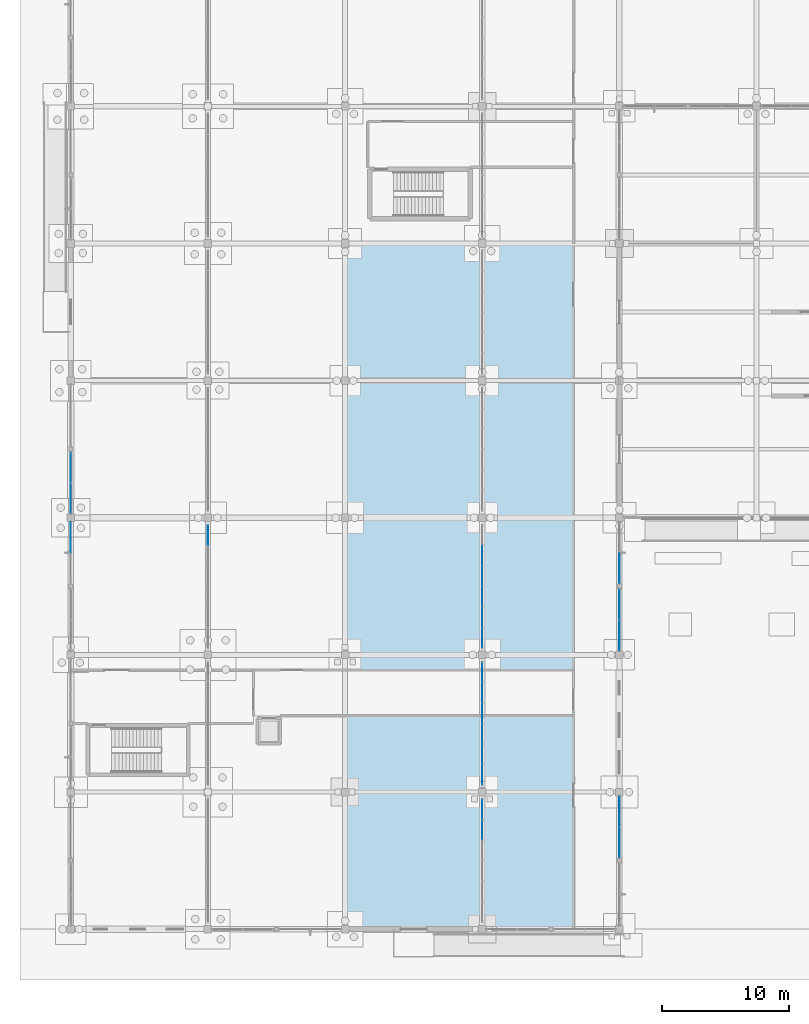
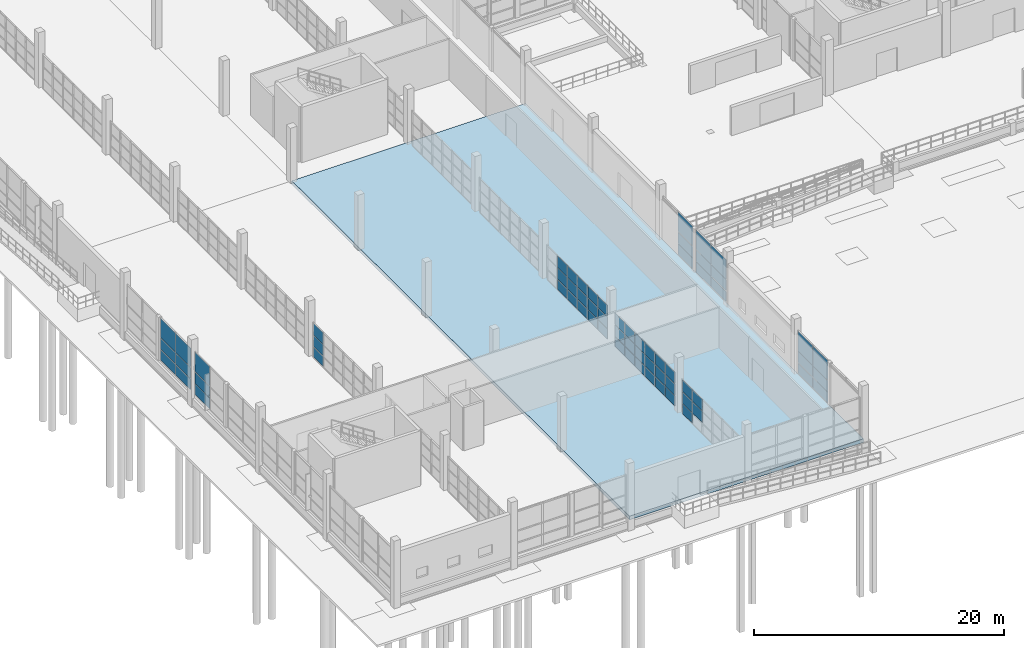
# One storey, part 81 of 138: 65 plates, 1 slab, 9 elements without a shape of their own.
"""IFC4 building model written with IfcOpenShell, lengths in metres."""

from ifc_helpers import new_model, si_unit, direction, frame, origin, origin_2d, place, context, subcontext, project, spatial, polyline, rectangle, outline, extrude, material, layer, layer_set, type_object, element, aggregate, save


model = new_model("IFC4")

# Units and contexts
model_context = context("Model", 3, precision=1e-05, world=origin(), true_north=direction((0.0, 1.0)))
body_context = subcontext(model_context, "Body", "Model", "MODEL_VIEW")
ifc_project = project(units=[si_unit("LENGTHUNIT", "METRE"), si_unit("AREAUNIT", "SQUARE_METRE"), si_unit("VOLUMEUNIT", "CUBIC_METRE"), si_unit("PLANEANGLEUNIT", "RADIAN"), si_unit("MASSUNIT", "GRAM", prefix="KILO")], contexts=[model_context])

# Site, building, storey
site_placement = place(None, origin())
site = spatial("IfcSite", under=ifc_project, at=site_placement, CompositionType="ELEMENT")
building_placement = place(site_placement, origin())
building = spatial("IfcBuilding", under=site, at=building_placement, Name="Zwinboog Wholesale Market", CompositionType="ELEMENT")
storey_placement = place(building_placement, origin())
storey = spatial("IfcBuildingStorey", under=building, at=storey_placement, Name="L00", CompositionType="ELEMENT", Elevation=0.0)

# Slab
ifc_material_1 = material(Name="Precast concrete C45/55", Category="concrete")
ifc_layer_1 = layer(ifc_material_1, 0.35009765625)
ifc_layer_set_1 = layer_set([ifc_layer_1], Name="Precast concrete C45/55")
slab_type = type_object("IfcSlabType", Name="SLT-BS-350", PredefinedType="BASESLAB", material=ifc_layer_set_1)
slab_placement = place(storey_placement, frame((0.0, 0.0, -0.35009765625)))
element("IfcSlab", 1, at=slab_placement, inside=storey, type_object=slab_type, Name="SB-350 (SLB-L00-002)", PredefinedType="BASESLAB", context=body_context, shape_type="SweptSolid", body=[
    extrude(outline(polyline([(21.60009765625, 0.0), (43.199951171875, 0.0), (43.199951171875, 54.0), (21.60009765625, 54.0), (21.60009765625, 0.0)])), origin(), (0.0, 0.0, 1.0), 0.35009765625),
])

# Curtain wall, plates
ifc_material_2 = material(Name="Aluminium thermally broken curtain wall", Category="aluminium")
curtain_wall_type_1 = type_object("IfcCurtainWallType", Name="CWT-OFF-15", PredefinedType="USERDEFINED", material=ifc_material_2)
curtain_wall_1_placement = place(storey_placement, origin())
curtain_wall_1 = element("IfcCurtainWall", 2, at=curtain_wall_1_placement, inside=storey, type_object=curtain_wall_type_1, Name="CW-06 (CW-L00-006)", ObjectType="UNITIZED_CURTAIN_WALL", PredefinedType="USERDEFINED")
ifc_material_3 = material(Name="Double low-e insulated glazing", Category="glass")
ifc_layer_2 = layer(ifc_material_3, 0.031982421875)
ifc_layer_set_2 = layer_set([ifc_layer_2], Name="Double low-e insulated glazing")
plate_type_1 = type_object("IfcPlateType", Name="CWP-IGU-32", PredefinedType="CURTAIN_PANEL", material=ifc_layer_set_2)
plate_1_placement = place(storey_placement, frame((0.0, 30.86376953125, 0.06005859375), z_axis=(0.0, 0.0, 1.0), x_axis=(0.0, 1.0, 0.0)))
plate_1 = element("IfcPlate", 3, at=plate_1_placement, type_object=plate_type_1, Name="CW-06 panel 2.1", PredefinedType="CURTAIN_PANEL", context=body_context, shape_type="SweptSolid", body=[
    extrude(rectangle(XDim=2.362548828125, YDim=0.031982421875, at=origin_2d()), origin(), (0.0, 0.0, 1.0), 1.010009765625),
])
plate_2_placement = place(storey_placement, frame((0.0, 30.86376953125, 1.1298828125), z_axis=(0.0, 0.0, 1.0), x_axis=(0.0, 1.0, 0.0)))
plate_2 = element("IfcPlate", 4, at=plate_2_placement, type_object=plate_type_1, Name="CW-06 panel 2.2", PredefinedType="CURTAIN_PANEL", context=body_context, shape_type="SweptSolid", body=[
    extrude(rectangle(XDim=2.362548828125, YDim=0.031982421875, at=origin_2d()), origin(), (0.0, 0.0, 1.0), 1.090087890625),
])
plate_3_placement = place(storey_placement, frame((0.0, 30.86376953125, 2.280029296875), z_axis=(0.0, 0.0, 1.0), x_axis=(0.0, 1.0, 0.0)))
plate_3 = element("IfcPlate", 5, at=plate_3_placement, type_object=plate_type_1, Name="CW-06 panel 2.3", PredefinedType="CURTAIN_PANEL", context=body_context, shape_type="SweptSolid", body=[
    extrude(rectangle(XDim=2.362548828125, YDim=0.031982421875, at=origin_2d()), origin(), (0.0, 0.0, 1.0), 1.85791015625),
])
aggregate(curtain_wall_1, [plate_1, plate_2, plate_3])

curtain_wall_type_2 = type_object("IfcCurtainWallType", Name="CWT-STALL-18", PredefinedType="USERDEFINED", material=ifc_material_2)
curtain_wall_2_placement = place(storey_placement, origin())
curtain_wall_2 = element("IfcCurtainWall", 6, at=curtain_wall_2_placement, inside=storey, type_object=curtain_wall_type_2, Name="CW-01 (CW-L00-007)", ObjectType="STOREFRONT_GLAZING", PredefinedType="USERDEFINED")
plate_4_placement = place(storey_placement, frame((0.0, 33.9375, 0.06494140625), z_axis=(0.0, 0.0, 1.0), x_axis=(0.0, 1.0, 0.0)))
plate_4 = element("IfcPlate", 7, at=plate_4_placement, type_object=plate_type_1, Name="CW-01 panel 1.1", PredefinedType="CURTAIN_PANEL", context=body_context, shape_type="SweptSolid", body=[
    extrude(rectangle(XDim=2.35498046875, YDim=0.031982421875, at=origin_2d()), origin(), (0.0, 0.0, 1.0), 1.00244140625),
])
plate_5_placement = place(storey_placement, frame((0.0, 33.9375, 1.132568359375), z_axis=(0.0, 0.0, 1.0), x_axis=(0.0, 1.0, 0.0)))
plate_5 = element("IfcPlate", 8, at=plate_5_placement, type_object=plate_type_1, Name="CW-01 panel 1.2", PredefinedType="CURTAIN_PANEL", context=body_context, shape_type="SweptSolid", body=[
    extrude(rectangle(XDim=2.35498046875, YDim=0.031982421875, at=origin_2d()), origin(), (0.0, 0.0, 1.0), 1.0849609375),
])
plate_6_placement = place(storey_placement, frame((0.0, 33.9375, 2.282470703125), z_axis=(0.0, 0.0, 1.0), x_axis=(0.0, 1.0, 0.0)))
plate_6 = element("IfcPlate", 9, at=plate_6_placement, type_object=plate_type_1, Name="CW-01 panel 1.3", PredefinedType="CURTAIN_PANEL", context=body_context, shape_type="SweptSolid", body=[
    extrude(rectangle(XDim=2.35498046875, YDim=0.031982421875, at=origin_2d()), origin(), (0.0, 0.0, 1.0), 1.8505859375),
])
plate_7_placement = place(storey_placement, frame((0.0, 36.357421875, 0.06494140625), z_axis=(0.0, 0.0, 1.0), x_axis=(0.0, 1.0, 0.0)))
plate_7 = element("IfcPlate", 10, at=plate_7_placement, type_object=plate_type_1, Name="CW-01 panel 2.1", PredefinedType="CURTAIN_PANEL", context=body_context, shape_type="SweptSolid", body=[
    extrude(rectangle(XDim=2.35498046875, YDim=0.031982421875, at=origin_2d()), origin(), (0.0, 0.0, 1.0), 1.00244140625),
])
plate_8_placement = place(storey_placement, frame((0.0, 36.357421875, 1.132568359375), z_axis=(0.0, 0.0, 1.0), x_axis=(0.0, 1.0, 0.0)))
plate_8 = element("IfcPlate", 11, at=plate_8_placement, type_object=plate_type_1, Name="CW-01 panel 2.2", PredefinedType="CURTAIN_PANEL", context=body_context, shape_type="SweptSolid", body=[
    extrude(rectangle(XDim=2.35498046875, YDim=0.031982421875, at=origin_2d()), origin(), (0.0, 0.0, 1.0), 1.0849609375),
])
plate_9_placement = place(storey_placement, frame((0.0, 36.357421875, 2.282470703125), z_axis=(0.0, 0.0, 1.0), x_axis=(0.0, 1.0, 0.0)))
plate_9 = element("IfcPlate", 12, at=plate_9_placement, type_object=plate_type_1, Name="CW-01 panel 2.3", PredefinedType="CURTAIN_PANEL", context=body_context, shape_type="SweptSolid", body=[
    extrude(rectangle(XDim=2.35498046875, YDim=0.031982421875, at=origin_2d()), origin(), (0.0, 0.0, 1.0), 1.8505859375),
])
aggregate(curtain_wall_2, [plate_4, plate_5, plate_6, plate_7, plate_8, plate_9])

curtain_wall_type_3 = type_object("IfcCurtainWallType", Name="CWT-GAL-16", PredefinedType="USERDEFINED", material=ifc_material_2)
curtain_wall_3_placement = place(storey_placement, origin())
curtain_wall_3 = element("IfcCurtainWall", 13, at=curtain_wall_3_placement, inside=storey, type_object=curtain_wall_type_3, Name="CW-04 (CW-L00-022)", ObjectType="UNITIZED_CURTAIN_WALL", PredefinedType="USERDEFINED")
plate_10_placement = place(storey_placement, frame((43.199951171875, 6.84130859375, 0.06005859375), z_axis=(0.0, 0.0, 1.0), x_axis=(0.0, 1.0, 0.0)))
plate_10 = element("IfcPlate", 14, at=plate_10_placement, type_object=plate_type_1, Name="CW-04 panel 1.1", PredefinedType="CURTAIN_PANEL", context=body_context, shape_type="SweptSolid", body=[
    extrude(rectangle(XDim=2.362548828125, YDim=0.031982421875, at=origin_2d()), origin(), (0.0, 0.0, 1.0), 1.010009765625),
])
plate_11_placement = place(storey_placement, frame((43.199951171875, 6.84130859375, 1.1298828125), z_axis=(0.0, 0.0, 1.0), x_axis=(0.0, 1.0, 0.0)))
plate_11 = element("IfcPlate", 15, at=plate_11_placement, type_object=plate_type_1, Name="CW-04 panel 1.2", PredefinedType="CURTAIN_PANEL", context=body_context, shape_type="SweptSolid", body=[
    extrude(rectangle(XDim=2.362548828125, YDim=0.031982421875, at=origin_2d()), origin(), (0.0, 0.0, 1.0), 1.090087890625),
])
plate_12_placement = place(storey_placement, frame((43.199951171875, 6.84130859375, 2.2802734375), z_axis=(0.0, 0.0, 1.0), x_axis=(0.0, 1.0, 0.0)))
plate_12 = element("IfcPlate", 16, at=plate_12_placement, type_object=plate_type_1, Name="CW-04 panel 1.3", PredefinedType="CURTAIN_PANEL", context=body_context, shape_type="SweptSolid", body=[
    extrude(rectangle(XDim=2.362548828125, YDim=0.031982421875, at=origin_2d()), origin(), (0.0, 0.0, 1.0), 1.909912109375),
])
plate_13_placement = place(storey_placement, frame((43.199951171875, 9.263671875, 0.06005859375), z_axis=(0.0, 0.0, 1.0), x_axis=(0.0, 1.0, 0.0)))
plate_13 = element("IfcPlate", 17, at=plate_13_placement, type_object=plate_type_1, Name="CW-04 panel 2.1", PredefinedType="CURTAIN_PANEL", context=body_context, shape_type="SweptSolid", body=[
    extrude(rectangle(XDim=2.362548828125, YDim=0.031982421875, at=origin_2d()), origin(), (0.0, 0.0, 1.0), 1.010009765625),
])
plate_14_placement = place(storey_placement, frame((43.199951171875, 9.263671875, 1.1298828125), z_axis=(0.0, 0.0, 1.0), x_axis=(0.0, 1.0, 0.0)))
plate_14 = element("IfcPlate", 18, at=plate_14_placement, type_object=plate_type_1, Name="CW-04 panel 2.2", PredefinedType="CURTAIN_PANEL", context=body_context, shape_type="SweptSolid", body=[
    extrude(rectangle(XDim=2.362548828125, YDim=0.031982421875, at=origin_2d()), origin(), (0.0, 0.0, 1.0), 1.090087890625),
])
plate_15_placement = place(storey_placement, frame((43.199951171875, 9.263671875, 2.2802734375), z_axis=(0.0, 0.0, 1.0), x_axis=(0.0, 1.0, 0.0)))
plate_15 = element("IfcPlate", 19, at=plate_15_placement, type_object=plate_type_1, Name="CW-04 panel 2.3", PredefinedType="CURTAIN_PANEL", context=body_context, shape_type="SweptSolid", body=[
    extrude(rectangle(XDim=2.362548828125, YDim=0.031982421875, at=origin_2d()), origin(), (0.0, 0.0, 1.0), 1.909912109375),
])
aggregate(curtain_wall_3, [plate_10, plate_11, plate_12, plate_13, plate_14, plate_15])

curtain_wall_type_4 = type_object("IfcCurtainWallType", Name="CWT-CAFE-22", PredefinedType="USERDEFINED", material=ifc_material_2)
curtain_wall_4_placement = place(storey_placement, origin())
curtain_wall_4 = element("IfcCurtainWall", 20, at=curtain_wall_4_placement, inside=storey, type_object=curtain_wall_type_4, Name="CW-05 (CW-L00-023)", ObjectType="STOREFRONT_GLAZING", PredefinedType="USERDEFINED")
plate_16_placement = place(storey_placement, frame((43.199951171875, 23.137451171875, 0.06494140625), z_axis=(0.0, 0.0, 1.0), x_axis=(0.0, 1.0, 0.0)))
plate_16 = element("IfcPlate", 21, at=plate_16_placement, type_object=plate_type_1, Name="CW-05 panel 1.1", PredefinedType="CURTAIN_PANEL", context=body_context, shape_type="SweptSolid", body=[
    extrude(rectangle(XDim=2.35498046875, YDim=0.031982421875, at=origin_2d()), origin(), (0.0, 0.0, 1.0), 1.00244140625),
])
plate_17_placement = place(storey_placement, frame((43.199951171875, 23.137451171875, 1.132568359375), z_axis=(0.0, 0.0, 1.0), x_axis=(0.0, 1.0, 0.0)))
plate_17 = element("IfcPlate", 22, at=plate_17_placement, type_object=plate_type_1, Name="CW-05 panel 1.2", PredefinedType="CURTAIN_PANEL", context=body_context, shape_type="SweptSolid", body=[
    extrude(rectangle(XDim=2.35498046875, YDim=0.031982421875, at=origin_2d()), origin(), (0.0, 0.0, 1.0), 1.0849609375),
])
plate_18_placement = place(storey_placement, frame((43.199951171875, 23.137451171875, 2.2822265625), z_axis=(0.0, 0.0, 1.0), x_axis=(0.0, 1.0, 0.0)))
plate_18 = element("IfcPlate", 23, at=plate_18_placement, type_object=plate_type_1, Name="CW-05 panel 1.3", PredefinedType="CURTAIN_PANEL", context=body_context, shape_type="SweptSolid", body=[
    extrude(rectangle(XDim=2.35498046875, YDim=0.031982421875, at=origin_2d()), origin(), (0.0, 0.0, 1.0), 1.902587890625),
])
plate_19_placement = place(storey_placement, frame((43.199951171875, 25.5576171875, 0.06494140625), z_axis=(0.0, 0.0, 1.0), x_axis=(0.0, 1.0, 0.0)))
plate_19 = element("IfcPlate", 24, at=plate_19_placement, type_object=plate_type_1, Name="CW-05 panel 2.1", PredefinedType="CURTAIN_PANEL", context=body_context, shape_type="SweptSolid", body=[
    extrude(rectangle(XDim=2.35498046875, YDim=0.031982421875, at=origin_2d()), origin(), (0.0, 0.0, 1.0), 1.00244140625),
])
plate_20_placement = place(storey_placement, frame((43.199951171875, 25.5576171875, 1.132568359375), z_axis=(0.0, 0.0, 1.0), x_axis=(0.0, 1.0, 0.0)))
plate_20 = element("IfcPlate", 25, at=plate_20_placement, type_object=plate_type_1, Name="CW-05 panel 2.2", PredefinedType="CURTAIN_PANEL", context=body_context, shape_type="SweptSolid", body=[
    extrude(rectangle(XDim=2.35498046875, YDim=0.031982421875, at=origin_2d()), origin(), (0.0, 0.0, 1.0), 1.0849609375),
])
plate_21_placement = place(storey_placement, frame((43.199951171875, 25.5576171875, 2.2822265625), z_axis=(0.0, 0.0, 1.0), x_axis=(0.0, 1.0, 0.0)))
plate_21 = element("IfcPlate", 26, at=plate_21_placement, type_object=plate_type_1, Name="CW-05 panel 2.3", PredefinedType="CURTAIN_PANEL", context=body_context, shape_type="SweptSolid", body=[
    extrude(rectangle(XDim=2.35498046875, YDim=0.031982421875, at=origin_2d()), origin(), (0.0, 0.0, 1.0), 1.902587890625),
])
aggregate(curtain_wall_4, [plate_16, plate_17, plate_18, plate_19, plate_20, plate_21])

curtain_wall_5_placement = place(storey_placement, origin())
curtain_wall_5 = element("IfcCurtainWall", 27, at=curtain_wall_5_placement, inside=storey, type_object=curtain_wall_type_1, Name="CW-06 (CW-L00-024)", ObjectType="UNITIZED_CURTAIN_WALL", PredefinedType="USERDEFINED")
plate_22_placement = place(storey_placement, frame((43.199951171875, 28.441162109375, 0.06005859375), z_axis=(0.0, 0.0, 1.0), x_axis=(0.0, 1.0, 0.0)))
plate_22 = element("IfcPlate", 28, at=plate_22_placement, type_object=plate_type_1, Name="CW-06 panel 1.1", PredefinedType="CURTAIN_PANEL", context=body_context, shape_type="SweptSolid", body=[
    extrude(rectangle(XDim=2.362548828125, YDim=0.031982421875, at=origin_2d()), origin(), (0.0, 0.0, 1.0), 1.010009765625),
])
plate_23_placement = place(storey_placement, frame((43.199951171875, 28.441162109375, 1.1298828125), z_axis=(0.0, 0.0, 1.0), x_axis=(0.0, 1.0, 0.0)))
plate_23 = element("IfcPlate", 29, at=plate_23_placement, type_object=plate_type_1, Name="CW-06 panel 1.2", PredefinedType="CURTAIN_PANEL", context=body_context, shape_type="SweptSolid", body=[
    extrude(rectangle(XDim=2.362548828125, YDim=0.031982421875, at=origin_2d()), origin(), (0.0, 0.0, 1.0), 1.090087890625),
])
plate_24_placement = place(storey_placement, frame((43.199951171875, 28.441162109375, 2.2802734375), z_axis=(0.0, 0.0, 1.0), x_axis=(0.0, 1.0, 0.0)))
plate_24 = element("IfcPlate", 30, at=plate_24_placement, type_object=plate_type_1, Name="CW-06 panel 1.3", PredefinedType="CURTAIN_PANEL", context=body_context, shape_type="SweptSolid", body=[
    extrude(rectangle(XDim=2.362548828125, YDim=0.031982421875, at=origin_2d()), origin(), (0.0, 0.0, 1.0), 1.909912109375),
])
aggregate(curtain_wall_5, [plate_22, plate_23, plate_24])

curtain_wall_type_5 = type_object("IfcCurtainWallType", Name="CWT-INT-STALL", PredefinedType="USERDEFINED", material=ifc_material_2)
curtain_wall_6_placement = place(storey_placement, origin())
curtain_wall_6 = element("IfcCurtainWall", 31, at=curtain_wall_6_placement, inside=storey, type_object=curtain_wall_type_5, Name="CW-07 (CW-STL-211)", ObjectType="STOREFRONT_GLAZING", PredefinedType="USERDEFINED")
ifc_material_4 = material(Name="Tempered laminated market stall glazing", Category="glass")
ifc_layer_3 = layer(ifc_material_4, 0.01611328125)
ifc_layer_set_3 = layer_set([ifc_layer_3], Name="Tempered laminated market stall glazing")
plate_type_2 = type_object("IfcPlateType", Name="CWP-INT-16", PredefinedType="CURTAIN_PANEL", material=ifc_layer_set_3)
plate_25_placement = place(storey_placement, frame((10.800048828125, 31.026611328125, 0.06005859375), z_axis=(0.0, 0.0, 1.0), x_axis=(0.0, 1.0, 0.0)))
plate_25 = element("IfcPlate", 32, at=plate_25_placement, type_object=plate_type_2, Name="CW-07 panel 6.1", PredefinedType="CURTAIN_PANEL", context=body_context, shape_type="SweptSolid", body=[
    extrude(rectangle(XDim=1.526611328125, YDim=0.01611328125, at=origin_2d()), origin(), (0.0, 0.0, 1.0), 0.9599609375),
])
plate_26_placement = place(storey_placement, frame((10.800048828125, 31.026611328125, 1.080078125), z_axis=(0.0, 0.0, 1.0), x_axis=(0.0, 1.0, 0.0)))
plate_26 = element("IfcPlate", 33, at=plate_26_placement, type_object=plate_type_2, Name="CW-07 panel 6.2", PredefinedType="CURTAIN_PANEL", context=body_context, shape_type="SweptSolid", body=[
    extrude(rectangle(XDim=1.526611328125, YDim=0.01611328125, at=origin_2d()), origin(), (0.0, 0.0, 1.0), 1.090087890625),
])
plate_27_placement = place(storey_placement, frame((10.800048828125, 31.026611328125, 2.22998046875), z_axis=(0.0, 0.0, 1.0), x_axis=(0.0, 1.0, 0.0)))
plate_27 = element("IfcPlate", 34, at=plate_27_placement, type_object=plate_type_2, Name="CW-07 panel 6.3", PredefinedType="CURTAIN_PANEL", context=body_context, shape_type="SweptSolid", body=[
    extrude(rectangle(XDim=1.526611328125, YDim=0.01611328125, at=origin_2d()), origin(), (0.0, 0.0, 1.0), 1.110107421875),
])
aggregate(curtain_wall_6, [plate_25, plate_26, plate_27])

curtain_wall_7_placement = place(storey_placement, origin())
curtain_wall_7 = element("IfcCurtainWall", 35, at=curtain_wall_7_placement, inside=storey, type_object=curtain_wall_type_5, Name="CW-07 (CW-STL-217)", ObjectType="STOREFRONT_GLAZING", PredefinedType="USERDEFINED")
plate_28_placement = place(storey_placement, frame((32.39990234375, 7.824951171875, 1.080078125), z_axis=(0.0, 0.0, 1.0), x_axis=(0.0, 1.0, 0.0)))
plate_28 = element("IfcPlate", 36, at=plate_28_placement, type_object=plate_type_2, Name="CW-07 panel 5.2", PredefinedType="CURTAIN_PANEL", context=body_context, shape_type="SweptSolid", body=[
    extrude(rectangle(XDim=1.556640625, YDim=0.01611328125, at=origin_2d()), origin(), (0.0, 0.0, 1.0), 1.090087890625),
])
plate_29_placement = place(storey_placement, frame((32.39990234375, 7.824951171875, 2.22998046875), z_axis=(0.0, 0.0, 1.0), x_axis=(0.0, 1.0, 0.0)))
plate_29 = element("IfcPlate", 37, at=plate_29_placement, type_object=plate_type_2, Name="CW-07 panel 5.3", PredefinedType="CURTAIN_PANEL", context=body_context, shape_type="SweptSolid", body=[
    extrude(rectangle(XDim=1.556640625, YDim=0.01611328125, at=origin_2d()), origin(), (0.0, 0.0, 1.0), 1.110107421875),
])
plate_30_placement = place(storey_placement, frame((32.39990234375, 9.4267578125, 0.06005859375), z_axis=(0.0, 0.0, 1.0), x_axis=(0.0, 1.0, 0.0)))
plate_30 = element("IfcPlate", 38, at=plate_30_placement, type_object=plate_type_2, Name="CW-07 panel 6.1", PredefinedType="CURTAIN_PANEL", context=body_context, shape_type="SweptSolid", body=[
    extrude(rectangle(XDim=1.526611328125, YDim=0.01611328125, at=origin_2d()), origin(), (0.0, 0.0, 1.0), 0.9599609375),
])
plate_31_placement = place(storey_placement, frame((32.39990234375, 9.4267578125, 1.080078125), z_axis=(0.0, 0.0, 1.0), x_axis=(0.0, 1.0, 0.0)))
plate_31 = element("IfcPlate", 39, at=plate_31_placement, type_object=plate_type_2, Name="CW-07 panel 6.2", PredefinedType="CURTAIN_PANEL", context=body_context, shape_type="SweptSolid", body=[
    extrude(rectangle(XDim=1.526611328125, YDim=0.01611328125, at=origin_2d()), origin(), (0.0, 0.0, 1.0), 1.090087890625),
])
plate_32_placement = place(storey_placement, frame((32.39990234375, 9.4267578125, 2.22998046875), z_axis=(0.0, 0.0, 1.0), x_axis=(0.0, 1.0, 0.0)))
plate_32 = element("IfcPlate", 40, at=plate_32_placement, type_object=plate_type_2, Name="CW-07 panel 6.3", PredefinedType="CURTAIN_PANEL", context=body_context, shape_type="SweptSolid", body=[
    extrude(rectangle(XDim=1.526611328125, YDim=0.01611328125, at=origin_2d()), origin(), (0.0, 0.0, 1.0), 1.110107421875),
])
aggregate(curtain_wall_7, [plate_28, plate_29, plate_30, plate_31, plate_32])

curtain_wall_8_placement = place(storey_placement, origin())
curtain_wall_8 = element("IfcCurtainWall", 41, at=curtain_wall_8_placement, inside=storey, type_object=curtain_wall_type_5, Name="CW-07 (CW-STL-218)", ObjectType="STOREFRONT_GLAZING", PredefinedType="USERDEFINED")
plate_33_placement = place(storey_placement, frame((32.39990234375, 12.17333984375, 0.06005859375), z_axis=(0.0, 0.0, 1.0), x_axis=(0.0, 1.0, 0.0)))
plate_33 = element("IfcPlate", 42, at=plate_33_placement, type_object=plate_type_2, Name="CW-07 panel 1.1", PredefinedType="CURTAIN_PANEL", context=body_context, shape_type="SweptSolid", body=[
    extrude(rectangle(XDim=1.526611328125, YDim=0.01611328125, at=origin_2d()), origin(), (0.0, 0.0, 1.0), 0.9599609375),
])
plate_34_placement = place(storey_placement, frame((32.39990234375, 12.17333984375, 1.080078125), z_axis=(0.0, 0.0, 1.0), x_axis=(0.0, 1.0, 0.0)))
plate_34 = element("IfcPlate", 43, at=plate_34_placement, type_object=plate_type_2, Name="CW-07 panel 1.2", PredefinedType="CURTAIN_PANEL", context=body_context, shape_type="SweptSolid", body=[
    extrude(rectangle(XDim=1.526611328125, YDim=0.01611328125, at=origin_2d()), origin(), (0.0, 0.0, 1.0), 1.090087890625),
])
plate_35_placement = place(storey_placement, frame((32.39990234375, 12.17333984375, 2.22998046875), z_axis=(0.0, 0.0, 1.0), x_axis=(0.0, 1.0, 0.0)))
plate_35 = element("IfcPlate", 44, at=plate_35_placement, type_object=plate_type_2, Name="CW-07 panel 1.3", PredefinedType="CURTAIN_PANEL", context=body_context, shape_type="SweptSolid", body=[
    extrude(rectangle(XDim=1.526611328125, YDim=0.01611328125, at=origin_2d()), origin(), (0.0, 0.0, 1.0), 1.110107421875),
])
plate_36_placement = place(storey_placement, frame((32.39990234375, 13.77490234375, 0.06005859375), z_axis=(0.0, 0.0, 1.0), x_axis=(0.0, 1.0, 0.0)))
plate_36 = element("IfcPlate", 45, at=plate_36_placement, type_object=plate_type_2, Name="CW-07 panel 2.1", PredefinedType="CURTAIN_PANEL", context=body_context, shape_type="SweptSolid", body=[
    extrude(rectangle(XDim=1.556640625, YDim=0.01611328125, at=origin_2d()), origin(), (0.0, 0.0, 1.0), 0.9599609375),
])
plate_37_placement = place(storey_placement, frame((32.39990234375, 13.77490234375, 1.080078125), z_axis=(0.0, 0.0, 1.0), x_axis=(0.0, 1.0, 0.0)))
plate_37 = element("IfcPlate", 46, at=plate_37_placement, type_object=plate_type_2, Name="CW-07 panel 2.2", PredefinedType="CURTAIN_PANEL", context=body_context, shape_type="SweptSolid", body=[
    extrude(rectangle(XDim=1.556640625, YDim=0.01611328125, at=origin_2d()), origin(), (0.0, 0.0, 1.0), 1.090087890625),
])
plate_38_placement = place(storey_placement, frame((32.39990234375, 13.77490234375, 2.22998046875), z_axis=(0.0, 0.0, 1.0), x_axis=(0.0, 1.0, 0.0)))
plate_38 = element("IfcPlate", 47, at=plate_38_placement, type_object=plate_type_2, Name="CW-07 panel 2.3", PredefinedType="CURTAIN_PANEL", context=body_context, shape_type="SweptSolid", body=[
    extrude(rectangle(XDim=1.556640625, YDim=0.01611328125, at=origin_2d()), origin(), (0.0, 0.0, 1.0), 1.110107421875),
])
plate_39_placement = place(storey_placement, frame((32.39990234375, 15.3916015625, 0.06005859375), z_axis=(0.0, 0.0, 1.0), x_axis=(0.0, 1.0, 0.0)))
plate_39 = element("IfcPlate", 48, at=plate_39_placement, type_object=plate_type_2, Name="CW-07 panel 3.1", PredefinedType="CURTAIN_PANEL", context=body_context, shape_type="SweptSolid", body=[
    extrude(rectangle(XDim=1.556640625, YDim=0.01611328125, at=origin_2d()), origin(), (0.0, 0.0, 1.0), 0.9599609375),
])
plate_40_placement = place(storey_placement, frame((32.39990234375, 15.3916015625, 1.080078125), z_axis=(0.0, 0.0, 1.0), x_axis=(0.0, 1.0, 0.0)))
plate_40 = element("IfcPlate", 49, at=plate_40_placement, type_object=plate_type_2, Name="CW-07 panel 3.2", PredefinedType="CURTAIN_PANEL", context=body_context, shape_type="SweptSolid", body=[
    extrude(rectangle(XDim=1.556640625, YDim=0.01611328125, at=origin_2d()), origin(), (0.0, 0.0, 1.0), 1.090087890625),
])
plate_41_placement = place(storey_placement, frame((32.39990234375, 15.3916015625, 2.22998046875), z_axis=(0.0, 0.0, 1.0), x_axis=(0.0, 1.0, 0.0)))
plate_41 = element("IfcPlate", 50, at=plate_41_placement, type_object=plate_type_2, Name="CW-07 panel 3.3", PredefinedType="CURTAIN_PANEL", context=body_context, shape_type="SweptSolid", body=[
    extrude(rectangle(XDim=1.556640625, YDim=0.01611328125, at=origin_2d()), origin(), (0.0, 0.0, 1.0), 1.110107421875),
])
plate_42_placement = place(storey_placement, frame((32.39990234375, 17.00830078125, 0.06005859375), z_axis=(0.0, 0.0, 1.0), x_axis=(0.0, 1.0, 0.0)))
plate_42 = element("IfcPlate", 51, at=plate_42_placement, type_object=plate_type_2, Name="CW-07 panel 4.1", PredefinedType="CURTAIN_PANEL", context=body_context, shape_type="SweptSolid", body=[
    extrude(rectangle(XDim=1.556640625, YDim=0.01611328125, at=origin_2d()), origin(), (0.0, 0.0, 1.0), 0.9599609375),
])
plate_43_placement = place(storey_placement, frame((32.39990234375, 17.00830078125, 1.080078125), z_axis=(0.0, 0.0, 1.0), x_axis=(0.0, 1.0, 0.0)))
plate_43 = element("IfcPlate", 52, at=plate_43_placement, type_object=plate_type_2, Name="CW-07 panel 4.2", PredefinedType="CURTAIN_PANEL", context=body_context, shape_type="SweptSolid", body=[
    extrude(rectangle(XDim=1.556640625, YDim=0.01611328125, at=origin_2d()), origin(), (0.0, 0.0, 1.0), 1.090087890625),
])
plate_44_placement = place(storey_placement, frame((32.39990234375, 17.00830078125, 2.22998046875), z_axis=(0.0, 0.0, 1.0), x_axis=(0.0, 1.0, 0.0)))
plate_44 = element("IfcPlate", 53, at=plate_44_placement, type_object=plate_type_2, Name="CW-07 panel 4.3", PredefinedType="CURTAIN_PANEL", context=body_context, shape_type="SweptSolid", body=[
    extrude(rectangle(XDim=1.556640625, YDim=0.01611328125, at=origin_2d()), origin(), (0.0, 0.0, 1.0), 1.110107421875),
])
plate_45_placement = place(storey_placement, frame((32.39990234375, 18.625, 0.06005859375), z_axis=(0.0, 0.0, 1.0), x_axis=(0.0, 1.0, 0.0)))
plate_45 = element("IfcPlate", 54, at=plate_45_placement, type_object=plate_type_2, Name="CW-07 panel 5.1", PredefinedType="CURTAIN_PANEL", context=body_context, shape_type="SweptSolid", body=[
    extrude(rectangle(XDim=1.556640625, YDim=0.01611328125, at=origin_2d()), origin(), (0.0, 0.0, 1.0), 0.9599609375),
])
plate_46_placement = place(storey_placement, frame((32.39990234375, 18.625, 1.080078125), z_axis=(0.0, 0.0, 1.0), x_axis=(0.0, 1.0, 0.0)))
plate_46 = element("IfcPlate", 55, at=plate_46_placement, type_object=plate_type_2, Name="CW-07 panel 5.2", PredefinedType="CURTAIN_PANEL", context=body_context, shape_type="SweptSolid", body=[
    extrude(rectangle(XDim=1.556640625, YDim=0.01611328125, at=origin_2d()), origin(), (0.0, 0.0, 1.0), 1.090087890625),
])
plate_47_placement = place(storey_placement, frame((32.39990234375, 18.625, 2.22998046875), z_axis=(0.0, 0.0, 1.0), x_axis=(0.0, 1.0, 0.0)))
plate_47 = element("IfcPlate", 56, at=plate_47_placement, type_object=plate_type_2, Name="CW-07 panel 5.3", PredefinedType="CURTAIN_PANEL", context=body_context, shape_type="SweptSolid", body=[
    extrude(rectangle(XDim=1.556640625, YDim=0.01611328125, at=origin_2d()), origin(), (0.0, 0.0, 1.0), 1.110107421875),
])
plate_48_placement = place(storey_placement, frame((32.39990234375, 20.2265625, 0.06005859375), z_axis=(0.0, 0.0, 1.0), x_axis=(0.0, 1.0, 0.0)))
plate_48 = element("IfcPlate", 57, at=plate_48_placement, type_object=plate_type_2, Name="CW-07 panel 6.1", PredefinedType="CURTAIN_PANEL", context=body_context, shape_type="SweptSolid", body=[
    extrude(rectangle(XDim=1.526611328125, YDim=0.01611328125, at=origin_2d()), origin(), (0.0, 0.0, 1.0), 0.9599609375),
])
plate_49_placement = place(storey_placement, frame((32.39990234375, 20.2265625, 1.080078125), z_axis=(0.0, 0.0, 1.0), x_axis=(0.0, 1.0, 0.0)))
plate_49 = element("IfcPlate", 58, at=plate_49_placement, type_object=plate_type_2, Name="CW-07 panel 6.2", PredefinedType="CURTAIN_PANEL", context=body_context, shape_type="SweptSolid", body=[
    extrude(rectangle(XDim=1.526611328125, YDim=0.01611328125, at=origin_2d()), origin(), (0.0, 0.0, 1.0), 1.090087890625),
])
plate_50_placement = place(storey_placement, frame((32.39990234375, 20.2265625, 2.22998046875), z_axis=(0.0, 0.0, 1.0), x_axis=(0.0, 1.0, 0.0)))
plate_50 = element("IfcPlate", 59, at=plate_50_placement, type_object=plate_type_2, Name="CW-07 panel 6.3", PredefinedType="CURTAIN_PANEL", context=body_context, shape_type="SweptSolid", body=[
    extrude(rectangle(XDim=1.526611328125, YDim=0.01611328125, at=origin_2d()), origin(), (0.0, 0.0, 1.0), 1.110107421875),
])
aggregate(curtain_wall_8, [plate_33, plate_34, plate_35, plate_36, plate_37, plate_38, plate_39, plate_40, plate_41, plate_42, plate_43, plate_44, plate_45, plate_46, plate_47, plate_48, plate_49, plate_50])

curtain_wall_9_placement = place(storey_placement, origin())
curtain_wall_9 = element("IfcCurtainWall", 60, at=curtain_wall_9_placement, inside=storey, type_object=curtain_wall_type_5, Name="CW-07 (CW-STL-219)", ObjectType="STOREFRONT_GLAZING", PredefinedType="USERDEFINED")
plate_51_placement = place(storey_placement, frame((32.39990234375, 22.973388671875, 0.06005859375), z_axis=(0.0, 0.0, 1.0), x_axis=(0.0, 1.0, 0.0)))
plate_51 = element("IfcPlate", 61, at=plate_51_placement, type_object=plate_type_2, Name="CW-07 panel 1.1", PredefinedType="CURTAIN_PANEL", context=body_context, shape_type="SweptSolid", body=[
    extrude(rectangle(XDim=1.526611328125, YDim=0.01611328125, at=origin_2d()), origin(), (0.0, 0.0, 1.0), 0.9599609375),
])
plate_52_placement = place(storey_placement, frame((32.39990234375, 22.973388671875, 1.080078125), z_axis=(0.0, 0.0, 1.0), x_axis=(0.0, 1.0, 0.0)))
plate_52 = element("IfcPlate", 62, at=plate_52_placement, type_object=plate_type_2, Name="CW-07 panel 1.2", PredefinedType="CURTAIN_PANEL", context=body_context, shape_type="SweptSolid", body=[
    extrude(rectangle(XDim=1.526611328125, YDim=0.01611328125, at=origin_2d()), origin(), (0.0, 0.0, 1.0), 1.090087890625),
])
plate_53_placement = place(storey_placement, frame((32.39990234375, 22.973388671875, 2.22998046875), z_axis=(0.0, 0.0, 1.0), x_axis=(0.0, 1.0, 0.0)))
plate_53 = element("IfcPlate", 63, at=plate_53_placement, type_object=plate_type_2, Name="CW-07 panel 1.3", PredefinedType="CURTAIN_PANEL", context=body_context, shape_type="SweptSolid", body=[
    extrude(rectangle(XDim=1.526611328125, YDim=0.01611328125, at=origin_2d()), origin(), (0.0, 0.0, 1.0), 1.110107421875),
])
plate_54_placement = place(storey_placement, frame((32.39990234375, 24.574951171875, 0.06005859375), z_axis=(0.0, 0.0, 1.0), x_axis=(0.0, 1.0, 0.0)))
plate_54 = element("IfcPlate", 64, at=plate_54_placement, type_object=plate_type_2, Name="CW-07 panel 2.1", PredefinedType="CURTAIN_PANEL", context=body_context, shape_type="SweptSolid", body=[
    extrude(rectangle(XDim=1.556640625, YDim=0.01611328125, at=origin_2d()), origin(), (0.0, 0.0, 1.0), 0.9599609375),
])
plate_55_placement = place(storey_placement, frame((32.39990234375, 24.574951171875, 1.080078125), z_axis=(0.0, 0.0, 1.0), x_axis=(0.0, 1.0, 0.0)))
plate_55 = element("IfcPlate", 65, at=plate_55_placement, type_object=plate_type_2, Name="CW-07 panel 2.2", PredefinedType="CURTAIN_PANEL", context=body_context, shape_type="SweptSolid", body=[
    extrude(rectangle(XDim=1.556640625, YDim=0.01611328125, at=origin_2d()), origin(), (0.0, 0.0, 1.0), 1.090087890625),
])
plate_56_placement = place(storey_placement, frame((32.39990234375, 24.574951171875, 2.22998046875), z_axis=(0.0, 0.0, 1.0), x_axis=(0.0, 1.0, 0.0)))
plate_56 = element("IfcPlate", 66, at=plate_56_placement, type_object=plate_type_2, Name="CW-07 panel 2.3", PredefinedType="CURTAIN_PANEL", context=body_context, shape_type="SweptSolid", body=[
    extrude(rectangle(XDim=1.556640625, YDim=0.01611328125, at=origin_2d()), origin(), (0.0, 0.0, 1.0), 1.110107421875),
])
plate_57_placement = place(storey_placement, frame((32.39990234375, 26.191650390625, 0.06005859375), z_axis=(0.0, 0.0, 1.0), x_axis=(0.0, 1.0, 0.0)))
plate_57 = element("IfcPlate", 67, at=plate_57_placement, type_object=plate_type_2, Name="CW-07 panel 3.1", PredefinedType="CURTAIN_PANEL", context=body_context, shape_type="SweptSolid", body=[
    extrude(rectangle(XDim=1.556640625, YDim=0.01611328125, at=origin_2d()), origin(), (0.0, 0.0, 1.0), 0.9599609375),
])
plate_58_placement = place(storey_placement, frame((32.39990234375, 26.191650390625, 1.080078125), z_axis=(0.0, 0.0, 1.0), x_axis=(0.0, 1.0, 0.0)))
plate_58 = element("IfcPlate", 68, at=plate_58_placement, type_object=plate_type_2, Name="CW-07 panel 3.2", PredefinedType="CURTAIN_PANEL", context=body_context, shape_type="SweptSolid", body=[
    extrude(rectangle(XDim=1.556640625, YDim=0.01611328125, at=origin_2d()), origin(), (0.0, 0.0, 1.0), 1.090087890625),
])
plate_59_placement = place(storey_placement, frame((32.39990234375, 26.191650390625, 2.22998046875), z_axis=(0.0, 0.0, 1.0), x_axis=(0.0, 1.0, 0.0)))
plate_59 = element("IfcPlate", 69, at=plate_59_placement, type_object=plate_type_2, Name="CW-07 panel 3.3", PredefinedType="CURTAIN_PANEL", context=body_context, shape_type="SweptSolid", body=[
    extrude(rectangle(XDim=1.556640625, YDim=0.01611328125, at=origin_2d()), origin(), (0.0, 0.0, 1.0), 1.110107421875),
])
plate_60_placement = place(storey_placement, frame((32.39990234375, 27.808349609375, 0.06005859375), z_axis=(0.0, 0.0, 1.0), x_axis=(0.0, 1.0, 0.0)))
plate_60 = element("IfcPlate", 70, at=plate_60_placement, type_object=plate_type_2, Name="CW-07 panel 4.1", PredefinedType="CURTAIN_PANEL", context=body_context, shape_type="SweptSolid", body=[
    extrude(rectangle(XDim=1.556640625, YDim=0.01611328125, at=origin_2d()), origin(), (0.0, 0.0, 1.0), 0.9599609375),
])
plate_61_placement = place(storey_placement, frame((32.39990234375, 27.808349609375, 1.080078125), z_axis=(0.0, 0.0, 1.0), x_axis=(0.0, 1.0, 0.0)))
plate_61 = element("IfcPlate", 71, at=plate_61_placement, type_object=plate_type_2, Name="CW-07 panel 4.2", PredefinedType="CURTAIN_PANEL", context=body_context, shape_type="SweptSolid", body=[
    extrude(rectangle(XDim=1.556640625, YDim=0.01611328125, at=origin_2d()), origin(), (0.0, 0.0, 1.0), 1.090087890625),
])
plate_62_placement = place(storey_placement, frame((32.39990234375, 27.808349609375, 2.22998046875), z_axis=(0.0, 0.0, 1.0), x_axis=(0.0, 1.0, 0.0)))
plate_62 = element("IfcPlate", 72, at=plate_62_placement, type_object=plate_type_2, Name="CW-07 panel 4.3", PredefinedType="CURTAIN_PANEL", context=body_context, shape_type="SweptSolid", body=[
    extrude(rectangle(XDim=1.556640625, YDim=0.01611328125, at=origin_2d()), origin(), (0.0, 0.0, 1.0), 1.110107421875),
])
plate_63_placement = place(storey_placement, frame((32.39990234375, 29.425048828125, 0.06005859375), z_axis=(0.0, 0.0, 1.0), x_axis=(0.0, 1.0, 0.0)))
plate_63 = element("IfcPlate", 73, at=plate_63_placement, type_object=plate_type_2, Name="CW-07 panel 5.1", PredefinedType="CURTAIN_PANEL", context=body_context, shape_type="SweptSolid", body=[
    extrude(rectangle(XDim=1.556640625, YDim=0.01611328125, at=origin_2d()), origin(), (0.0, 0.0, 1.0), 0.9599609375),
])
plate_64_placement = place(storey_placement, frame((32.39990234375, 29.425048828125, 1.080078125), z_axis=(0.0, 0.0, 1.0), x_axis=(0.0, 1.0, 0.0)))
plate_64 = element("IfcPlate", 74, at=plate_64_placement, type_object=plate_type_2, Name="CW-07 panel 5.2", PredefinedType="CURTAIN_PANEL", context=body_context, shape_type="SweptSolid", body=[
    extrude(rectangle(XDim=1.556640625, YDim=0.01611328125, at=origin_2d()), origin(), (0.0, 0.0, 1.0), 1.090087890625),
])
plate_65_placement = place(storey_placement, frame((32.39990234375, 29.425048828125, 2.22998046875), z_axis=(0.0, 0.0, 1.0), x_axis=(0.0, 1.0, 0.0)))
plate_65 = element("IfcPlate", 75, at=plate_65_placement, type_object=plate_type_2, Name="CW-07 panel 5.3", PredefinedType="CURTAIN_PANEL", context=body_context, shape_type="SweptSolid", body=[
    extrude(rectangle(XDim=1.556640625, YDim=0.01611328125, at=origin_2d()), origin(), (0.0, 0.0, 1.0), 1.110107421875),
])
aggregate(curtain_wall_9, [plate_51, plate_52, plate_53, plate_54, plate_55, plate_56, plate_57, plate_58, plate_59, plate_60, plate_61, plate_62, plate_63, plate_64, plate_65])

save(model, "model.ifc")
